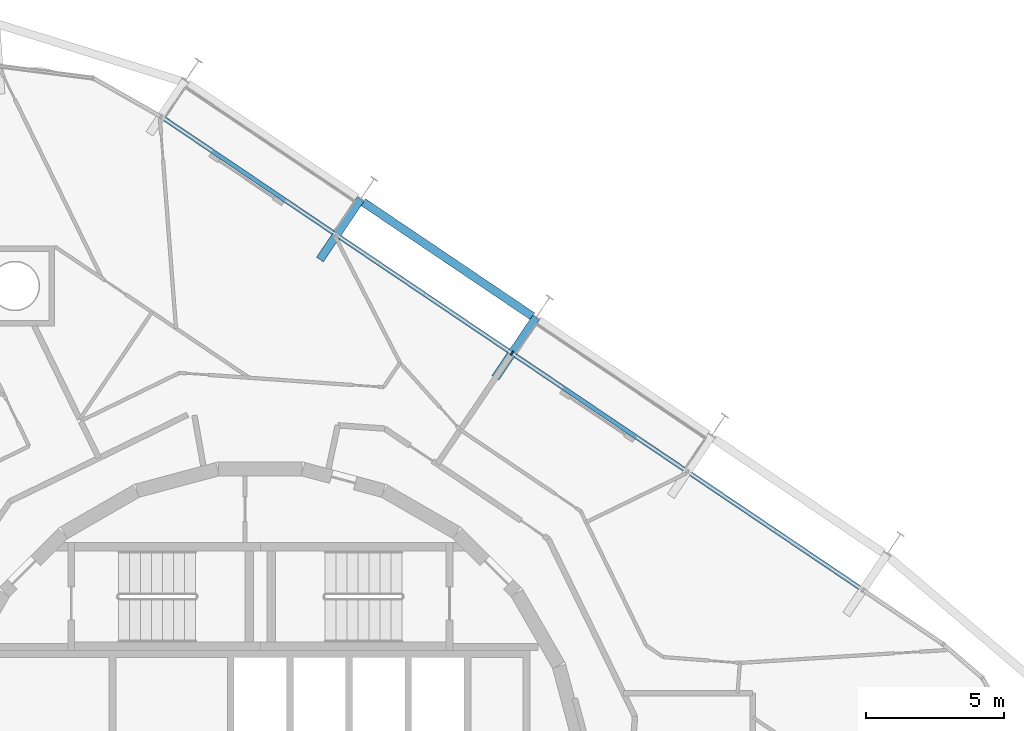
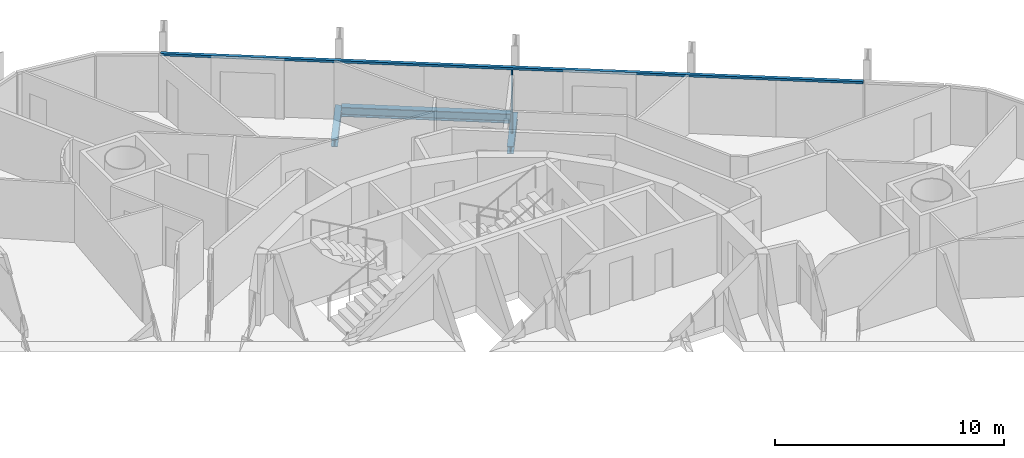
# One storey, part 7 of 17: 3 beams, 2 members, 1 element without a shape of its own.
"""IFC4 building model written with IfcOpenShell, lengths in metres."""

from ifc_helpers import new_model, si_unit, direction, frame, origin, origin_2d, place, context, subcontext, project, spatial, rectangle, i_section, extrude, material, layer, layer_set, material_profile, profile_set, type_object, element, aggregate, save


model = new_model("IFC4")

# Units and contexts
model_context = context("Model", 3, precision=1e-05, world=origin(), true_north=direction((0.0, 1.0)))
body_context = subcontext(model_context, "Body", "Model", "MODEL_VIEW")
ifc_project = project(units=[si_unit("LENGTHUNIT", "METRE"), si_unit("AREAUNIT", "SQUARE_METRE"), si_unit("VOLUMEUNIT", "CUBIC_METRE"), si_unit("PLANEANGLEUNIT", "RADIAN"), si_unit("MASSUNIT", "GRAM", prefix="KILO")], contexts=[model_context])

# Site, building, storey
site_placement = place(None, origin())
site = spatial("IfcSite", under=ifc_project, at=site_placement, CompositionType="ELEMENT")
building_placement = place(site_placement, origin())
building = spatial("IfcBuilding", under=site, at=building_placement, Name="Spindle Arch Residences", CompositionType="ELEMENT")
storey_placement = place(building_placement, frame((0.0, 0.0, 209.39990234375)))
storey = spatial("IfcBuildingStorey", under=building, at=storey_placement, Name="L53", CompositionType="ELEMENT", Elevation=209.39990234375)

# Curtain wall, members
ifc_material_1 = material(Name="Aluminium bronze unitised frame with tinted glass", Category="aluminium")
ifc_layer = layer(ifc_material_1, 0.159912109375)
ifc_layer_set = layer_set([ifc_layer], Name="CW-C typical residential unitised wall")
curtain_wall_type = type_object("IfcCurtainWallType", Name="CW-C typical residential unitised wall", PredefinedType="NOTDEFINED", material=ifc_layer_set)
curtain_wall_placement = place(storey_placement, origin())
curtain_wall = element("IfcCurtainWall", 1, at=curtain_wall_placement, inside=storey, type_object=curtain_wall_type, Name="CW-C L53 run 2", PredefinedType="NOTDEFINED")
ifc_material_2 = material(Name="Aluminium bronze anodised mullion", Category="aluminium")
ifc_material_profile_1 = material_profile(ifc_material_2, rectangle(XDim=0.159912109375, YDim=0.06005859375, at=origin_2d()), Name="MU 60x160")
ifc_profile_set_1 = profile_set([ifc_material_profile_1], Name="Aluminium bronze anodised mullion")
member_type_1 = type_object("IfcMemberType", Name="Bronze mullion 60x160", PredefinedType="MULLION", material=ifc_profile_set_1)
member_1_placement = place(storey_placement, frame((9.148193359375, 15.85595703125, -0.3798828125), z_axis=(0.0, 0.0, 1.0), x_axis=(-0.559192903471, -0.829037572555, 0.0)))
member_1 = element("IfcMember", 2, at=member_1_placement, type_object=member_type_1, Name="CW-C mullion 07", PredefinedType="MULLION", context=body_context, shape_type="SweptSolid", body=[
    extrude(rectangle(XDim=0.159912109375, YDim=0.06005859375, at=origin_2d()), origin(), (0.0, 0.0, 1.0), 3.3798828125),
])
ifc_material_3 = material(Name="Aluminium bronze anodised transom", Category="aluminium")
ifc_material_profile_2 = material_profile(ifc_material_3, rectangle(XDim=0.159912109375, YDim=0.1201171875, at=origin_2d()), Name="TR 120x160")
ifc_profile_set_2 = profile_set([ifc_material_profile_2], Name="Aluminium bronze anodised transom")
member_type_2 = type_object("IfcMemberType", Name="Bronze transom 120x160", PredefinedType="USERDEFINED", material=ifc_profile_set_2)
member_2_placement = place(storey_placement, frame((21.880126953125, 7.26806640625, 3.06005859375), z_axis=(-0.829038450691, 0.559191601578, 0.0), x_axis=(-0.559191601578, -0.829038450691, 0.0)))
member_2 = element("IfcMember", 3, at=member_2_placement, type_object=member_type_2, Name="CW-C transom 00", ObjectType="TRANSOM", PredefinedType="USERDEFINED", context=body_context, shape_type="SweptSolid", body=[
    extrude(rectangle(XDim=0.159912109375, YDim=0.1201171875, at=origin_2d()), origin(), (0.0, 0.0, 1.0), 30.71484375),
])
aggregate(curtain_wall, [member_2, member_1])

# Beams
ifc_material_4 = material(Name="Steel S460ML, intumescent coating R 120", Category="steel")
ifc_material_profile_3 = material_profile(ifc_material_4, i_section(OverallWidth=0.300048828125, OverallDepth=0.5, WebThickness=0.014404296875, FlangeThickness=0.028076171875, FilletRadius=0.027099609375, at=origin_2d()), Name="HEB 500")
ifc_profile_set_3 = profile_set([ifc_material_profile_3], Name="Steel S460ML, intumescent coating R 120")
beam_type_1 = type_object("IfcBeamType", Name="Exoskeleton edge beam HEB 500", PredefinedType="BEAM", material=ifc_profile_set_3)
beam_placement = place(storey_placement, frame((9.89599609375, 17.197021484375, -0.6298828125), z_axis=(-0.829031763913, 0.55920151504, 0.0), x_axis=(-0.55920151504, -0.829031763913, 0.0)))
element("IfcBeam", 4, at=beam_placement, inside=storey, type_object=beam_type_1, Name="Exoskeleton edge beam 8", PredefinedType="BEAM", context=body_context, shape_type="SweptSolid", body=[
    extrude(i_section(OverallWidth=0.300048828125, OverallDepth=0.5, WebThickness=0.014404296875, FlangeThickness=0.028076171875, FilletRadius=0.027099609375, at=origin_2d()), origin(), (0.0, 0.0, 1.0), 7.433837890625),
])
ifc_material_5 = material(Name="Steel S460ML, intumescent coating R 120", Category="steel")
ifc_material_profile_4 = material_profile(ifc_material_5, i_section(OverallWidth=0.300048828125, OverallDepth=0.389892578125, WebThickness=0.010986328125, FlangeThickness=0.01904296875, FilletRadius=0.027099609375, at=origin_2d()), Name="HEA 400")
ifc_profile_set_4 = profile_set([ifc_material_profile_4], Name="Steel S460ML, intumescent coating R 120")
beam_type_2 = type_object("IfcBeamType", Name="Floor outrigger HEA 400", PredefinedType="BEAM", material=ifc_profile_set_4)
for number, where, z_axis, x_axis, name in (
    (5, (10.026123046875, 17.157470703125, -0.574951171875), (-0.559241810757, -0.829004582075, 0.0), (0.829004582075, -0.559241810757, 0.0), "Floor outrigger 8"),
    (6, (3.647705078125, 21.459716796875, -0.574951171875), (-0.559135777436, -0.829076101688, 0.0), (0.829076101688, -0.559135777436, 0.0), "Floor outrigger 9"),
):
    element("IfcBeam", number, at=place(storey_placement, frame(where, z_axis=z_axis, x_axis=x_axis)), inside=storey, type_object=beam_type_2, Name=name, PredefinedType="BEAM", context=body_context, shape_type="SweptSolid", body=[
        extrude(i_section(OverallWidth=0.300048828125, OverallDepth=0.389892578125, WebThickness=0.010986328125, FlangeThickness=0.01904296875, FilletRadius=0.027099609375, at=origin_2d()), origin(), (0.0, 0.0, 1.0), 2.64990234375),
    ])

save(model, "model.ifc")
